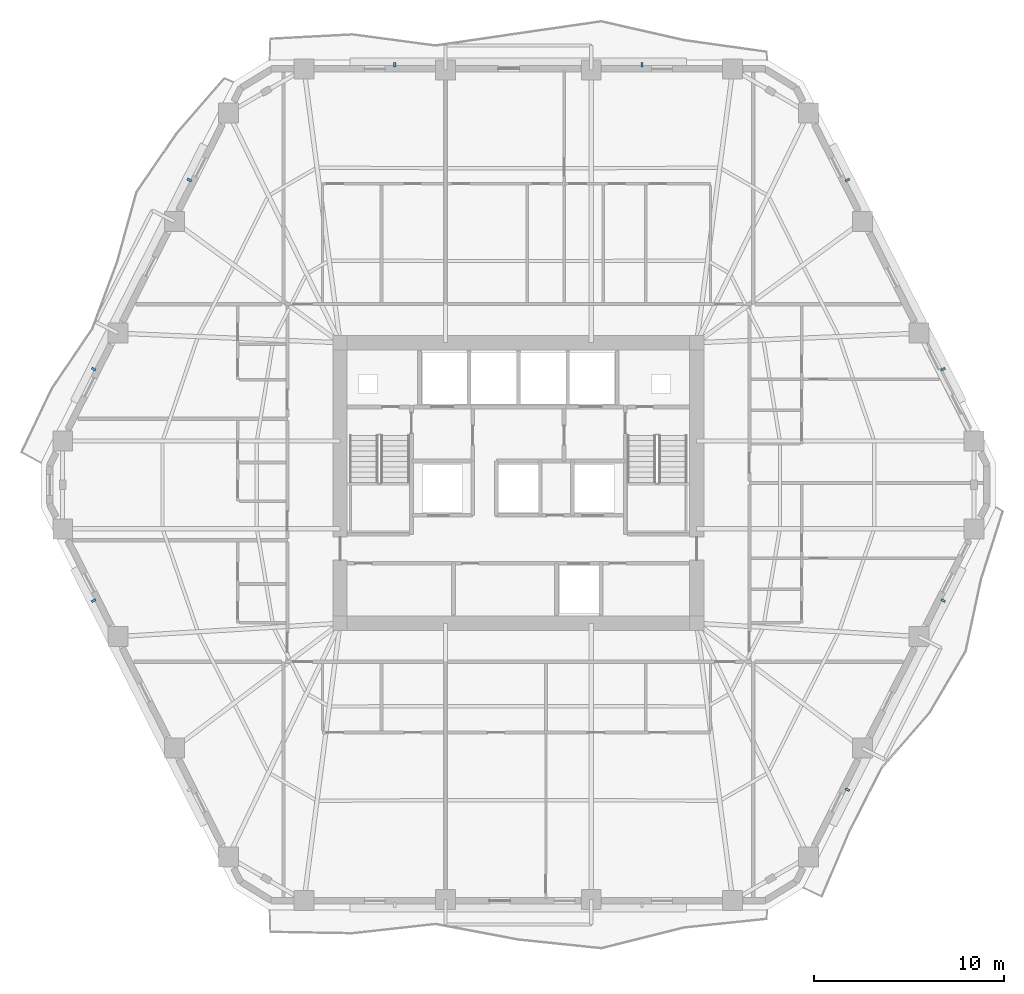
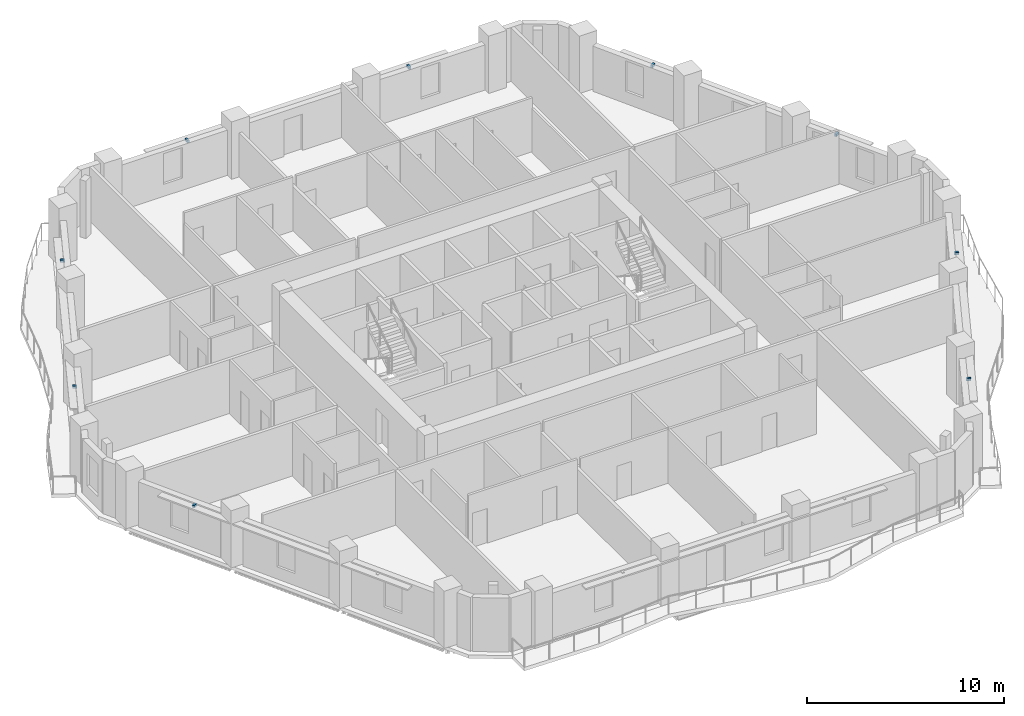
# One storey, part 9 of 12: 9 discrete accessories.
"""IFC4 building model written with IfcOpenShell, lengths in metres."""

from ifc_helpers import new_model, si_unit, direction, frame, origin, origin_2d, place, context, subcontext, project, spatial, rectangle, extrude, material, type_object, element, save


model = new_model("IFC4")

# Units and contexts
model_context = context("Model", 3, precision=1e-05, world=origin(), true_north=direction((0.0, 1.0)))
body_context = subcontext(model_context, "Body", "Model", "MODEL_VIEW")
ifc_project = project(units=[si_unit("LENGTHUNIT", "METRE"), si_unit("AREAUNIT", "SQUARE_METRE"), si_unit("VOLUMEUNIT", "CUBIC_METRE"), si_unit("PLANEANGLEUNIT", "RADIAN"), si_unit("MASSUNIT", "GRAM", prefix="KILO")], contexts=[model_context])

# Site, building, storey
site_placement = place(None, origin())
site = spatial("IfcSite", under=ifc_project, at=site_placement, CompositionType="ELEMENT")
building_placement = place(site_placement, origin())
building = spatial("IfcBuilding", under=site, at=building_placement, Name="Cinnabar Lancet Tower", CompositionType="ELEMENT")
storey_placement = place(building_placement, frame((0.0, 0.0, 137.449951171875)))
storey = spatial("IfcBuildingStorey", under=building, at=storey_placement, Name="L36", CompositionType="ELEMENT", Elevation=137.449951171875)

# Discrete accessories
ifc_material = material(Name="Stainless steel 316 facade fixing bracket", Category="steel")
discrete_accessory_type = type_object("IfcDiscreteAccessoryType", Name="ENV-ACC-BRK-180", PredefinedType="BRACKET", material=ifc_material)
for number, where, z_axis, x_axis, name in (
    (1, (49.698974609375, 9.77197265625, 2.60009765625), (0.0, 0.0, 1.0), (0.451453853408, 0.892294468347, 0.0), "L36 Face 2 Sunshade Bracket A"),
    (2, (54.72998046875, 19.717041015625, 2.60009765625), (0.0, 0.0, 1.0), (0.451453853408, 0.892294468347, 0.0), "L36 Face 2 Sunshade Bracket B"),
    (3, (54.72998046875, 31.883056640625, 2.60009765625), (0.0, 0.0, 1.0), (-0.451453853408, 0.892294468347, 0.0), "L36 Face 3 Sunshade Bracket A"),
    (4, (49.698974609375, 41.827880859375, 2.60009765625), (0.0, 0.0, 1.0), (-0.451453853408, 0.892294468347, 0.0), "L36 Face 3 Sunshade Bracket B"),
    (5, (38.90087890625, 47.889892578125, 2.60009765625), (0.0, 0.0, 1.0), (-1.0, 0.0, 0.0), "L36 Face 4 Sunshade Bracket A"),
    (6, (25.89892578125, 47.889892578125, 2.60009765625), (0.0, 0.0, 1.0), (-1.0, 0.0, 0.0), "L36 Face 4 Sunshade Bracket B"),
    (7, (15.10107421875, 41.827880859375, 2.60009765625), (0.0, 0.0, 1.0), (-0.451453853408, -0.892294468347, 0.0), "L36 Face 5 Sunshade Bracket A"),
    (8, (10.070068359375, 31.883056640625, 2.60009765625), (0.0, 0.0, 1.0), (-0.451453853408, -0.892294468347, 0.0), "L36 Face 5 Sunshade Bracket B"),
    (9, (10.070068359375, 19.717041015625, 2.60009765625), (0.0, 0.0, 1.0), (0.451453853408, -0.892294468347, 0.0), "L36 Face 6 Sunshade Bracket A"),
):
    element("IfcDiscreteAccessory", number, at=place(storey_placement, frame(where, z_axis=z_axis, x_axis=x_axis)), inside=storey, type_object=discrete_accessory_type, Name=name, PredefinedType="BRACKET", context=body_context, shape_type="SweptSolid", body=[
        extrude(rectangle(XDim=0.1201171875, YDim=0.239990234375, at=origin_2d()), origin(), (0.0, 0.0, 1.0), 0.159912109375),
    ])

save(model, "model.ifc")
